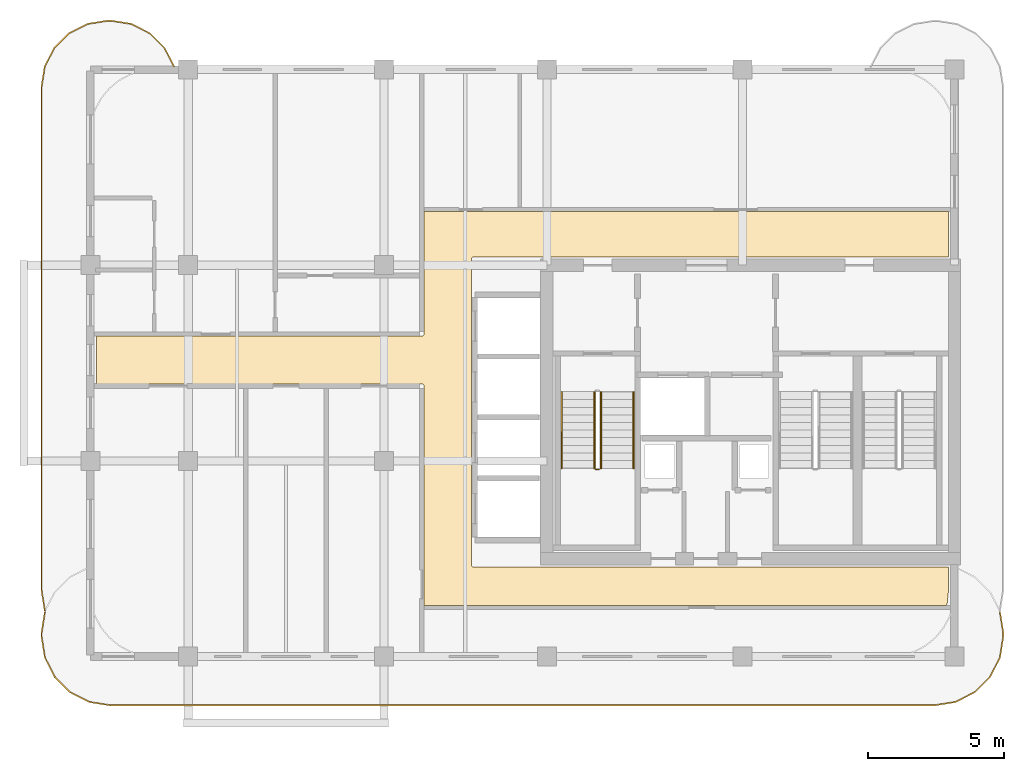
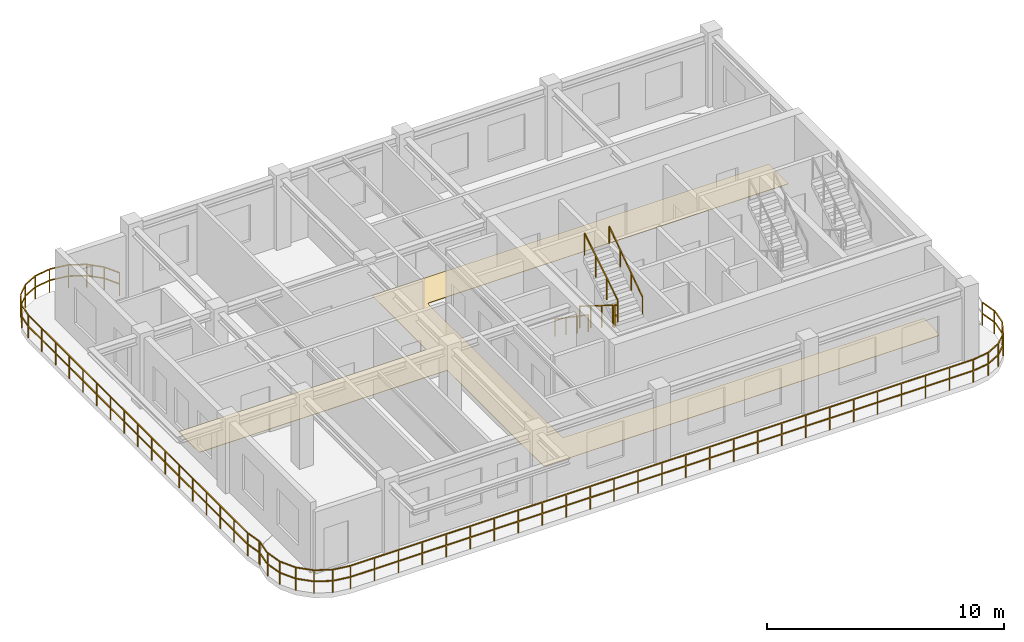
# One storey, part 6 of 7: 7 railings, 1 covering.
"""IFC4 building model written with IfcOpenShell, lengths in metres."""

import ifcopenshell
import ifcopenshell.guid

model = None  # the IFC model being written
_history = None  # IfcOwnerHistory: only IFC2X3 demands one
_inside = {}  # id of a spatial element -> (the spatial element, [elements in it])
_under = {}  # id of a project, library or spatial element -> (it, [spatial elements below it])
_declared = {}  # id of a project -> (the project, [libraries it declares])
_typed = {}  # id of a type object -> (the type object, [elements of that type])
_made_of = {}  # id of a material, layer set ... -> (it, [elements and type objects made of it])


def new_model(schema):
    """Start an empty IFC model of exactly this schema.

    Asked for "IFC4X3", IfcOpenShell would pick the latest addendum, in which some entities
    have other attributes; the version numbers below select the first issue.
    IFC2X3 requires an IfcOwnerHistory on every rooted entity: one is made here for all.
    """
    global model, _history
    if schema == "IFC4X3":
        model = ifcopenshell.file(schema_version=(4, 3, 0, 0))
    else:
        model = ifcopenshell.file(schema=schema)
    _inside.clear()
    _under.clear()
    _declared.clear()
    _typed.clear()
    _made_of.clear()
    _history = None
    if model.schema == "IFC2X3":
        org = make("IfcOrganization", Name="unknown")
        user = make(
            "IfcPersonAndOrganization",
            ThePerson=make("IfcPerson", FamilyName="unknown"),
            TheOrganization=org,
        )
        app = make(
            "IfcApplication",
            ApplicationDeveloper=org,
            Version="unknown",
            ApplicationFullName="unknown",
            ApplicationIdentifier="unknown",
        )
        _history = make(
            "IfcOwnerHistory",
            OwningUser=user,
            OwningApplication=app,
            ChangeAction="ADDED",
            CreationDate=0,
        )
    return model


def make(cls, **values):
    """One entity of the class cls with the attributes given. An attribute that is None is left unset."""
    return model.create_entity(
        cls, **{name: value for name, value in values.items() if value is not None}
    )


def rooted(cls, **values):
    """An entity with a GlobalId (a new one), such as an element, a storey or a relation."""
    return make(cls, GlobalId=ifcopenshell.guid.new(), OwnerHistory=_history, **values)


def si_unit(unit_type, name, prefix=None):
    """IfcSIUnit, for example si_unit("LENGTHUNIT", "METRE", prefix="MILLI")."""
    return make("IfcSIUnit", UnitType=unit_type, Prefix=prefix, Name=name)


def derived_unit(unit_type, elements):
    """IfcDerivedUnit: a product of units, each with its exponent."""
    return make(
        "IfcDerivedUnit",
        Elements=[
            make("IfcDerivedUnitElement", Unit=unit, Exponent=power)
            for unit, power in elements
        ],
        UnitType=unit_type,
    )


def assignment(units):
    """IfcUnitAssignment: the units of a project."""
    return None if units is None else make("IfcUnitAssignment", Units=units)


def point(xyz):
    """IfcCartesianPoint."""
    return None if xyz is None else make("IfcCartesianPoint", Coordinates=xyz)


def direction(xyz):
    """IfcDirection."""
    return None if xyz is None else make("IfcDirection", DirectionRatios=xyz)


def frame(location, z_axis=None, x_axis=None):
    """IfcAxis2Placement3D, a coordinate frame: its origin and axes. An axis left out is left unset."""
    return make(
        "IfcAxis2Placement3D",
        Location=point(location),
        Axis=direction(z_axis),
        RefDirection=direction(x_axis),
    )


def frame_2d(location, x_axis=None):
    """IfcAxis2Placement2D, a coordinate frame in the plane: its origin and x axis."""
    return make(
        "IfcAxis2Placement2D", Location=point(location), RefDirection=direction(x_axis)
    )


def origin():
    """The frame at (0, 0, 0) with its axes left unset."""
    return frame((0.0, 0.0, 0.0))


def origin_2d():
    """The frame at (0, 0) in the plane with its x axis left unset."""
    return frame_2d((0.0, 0.0))


def place(relative_to, where):
    """IfcLocalPlacement: puts the frame where relative to a parent placement (None: the world)."""
    return make(
        "IfcLocalPlacement", PlacementRelTo=relative_to, RelativePlacement=where
    )


def context(
    kind, dimensions, precision=None, world=None, true_north=None, identifier=None
):
    """IfcGeometricRepresentationContext, for example the 3D "Model" context."""
    return make(
        "IfcGeometricRepresentationContext",
        ContextIdentifier=identifier,
        ContextType=kind,
        CoordinateSpaceDimension=dimensions,
        Precision=precision,
        WorldCoordinateSystem=world,
        TrueNorth=true_north,
    )


def subcontext(parent, identifier, kind, view, scale=None):
    """IfcGeometricRepresentationSubContext, for example "Body" below "Model"."""
    return make(
        "IfcGeometricRepresentationSubContext",
        ContextIdentifier=identifier,
        ContextType=kind,
        ParentContext=parent,
        TargetScale=scale,
        TargetView=view,
    )


def project(units=None, contexts=None):
    """IfcProject with its units and contexts."""
    return rooted(
        "IfcProject",
        Name="project",
        RepresentationContexts=contexts,
        UnitsInContext=assignment(units),
    )


def spatial(cls, under=None, at=None, **own):
    """A site, building, storey or space (cls), placed at a placement, below another one or the project."""
    s = rooted(cls, ObjectPlacement=at, **own)
    if under is not None:
        _under.setdefault(under.id(), (under, []))[1].append(s)
    return s


def polyline(points):
    """IfcPolyline through the points."""
    return make("IfcPolyline", Points=[point(p) for p in points])


def profile(cls, at=None, kind="AREA", **sizes):
    """A parametric profile (cls). Its sizes go by their IFC names, for example OverallWidth=200.0."""
    return make(cls, ProfileType=kind, Position=at, **sizes)


def rectangle(**sizes):
    """IfcRectangleProfileDef."""
    return profile("IfcRectangleProfileDef", **sizes)


def outline(outer, holes=None, kind="AREA"):
    """IfcArbitraryClosedProfileDef: a profile drawn as a closed curve; with holes, ...WithVoids."""
    if holes is None:
        return make("IfcArbitraryClosedProfileDef", ProfileType=kind, OuterCurve=outer)
    return make(
        "IfcArbitraryProfileDefWithVoids",
        ProfileType=kind,
        OuterCurve=outer,
        InnerCurves=holes,
    )


def extrude(swept, where, along, depth):
    """IfcExtrudedAreaSolid: the profile swept, set in the frame where, extruded along a direction by depth."""
    return make(
        "IfcExtrudedAreaSolid",
        SweptArea=swept,
        Position=where,
        ExtrudedDirection=direction(along),
        Depth=depth,
    )


def shape(context_of_items, identifier, shape_type, items):
    """IfcShapeRepresentation: the items that make up one representation, for example the "Body"."""
    return make(
        "IfcShapeRepresentation",
        ContextOfItems=context_of_items,
        RepresentationIdentifier=identifier,
        RepresentationType=shape_type,
        Items=items,
    )


def material(Name=None, Category=None):
    """IfcMaterial."""
    return make("IfcMaterial", Name=Name, Category=Category)


def layer(
    of_material, thickness, ventilated=None, Name=None, Category=None, Priority=None
):
    """IfcMaterialLayer: one layer of a wall or slab, of a material (None: an air gap)."""
    return make(
        "IfcMaterialLayer",
        Material=of_material,
        LayerThickness=thickness,
        IsVentilated=ventilated,
        Name=Name,
        Category=Category,
        Priority=Priority,
    )


def layer_set(layers, Name=None):
    """IfcMaterialLayerSet."""
    return make("IfcMaterialLayerSet", MaterialLayers=layers, LayerSetName=Name)


def made_of(thing, what):
    """Note that an element or type object is made of a material, layer set ...; save() writes the relation."""
    if what is not None:
        _made_of.setdefault(what.id(), (what, []))[1].append(thing)
    return thing


def type_object(cls, material=None, **own):
    """A type object (cls), such as IfcWallType, which elements share."""
    return made_of(rooted(cls, **own), material)


def element(
    cls,
    number,
    at=None,
    inside=None,
    cuts=None,
    type_object=None,
    material=None,
    context=None,
    identifier="Body",
    shape_type=None,
    held_by="IfcProductDefinitionShape",
    body=None,
    shapes=None,
    **own,
):
    """One element of the class cls, such as IfcWall. Its Tag is "e" and its number.

    at: its placement. inside: the storey or other place that contains it. cuts: it is an
    opening in that element (IfcRelVoidsElement). A single representation is given by context,
    identifier, shape_type and body (its items); several are given by shapes. held_by: the class
    of the entity that holds the representations. save() writes the other relations.
    """
    e = rooted(cls, Tag="e%d" % number, ObjectPlacement=at, **own)
    if body is not None:
        shapes = [shape(context, identifier, shape_type, body)]
    if shapes is not None:
        e.Representation = make(held_by, Representations=shapes)
    if inside is not None:
        _inside.setdefault(inside.id(), (inside, []))[1].append(e)
    if cuts is not None:
        rooted(
            "IfcRelVoidsElement", RelatingBuildingElement=cuts, RelatedOpeningElement=e
        )
    if type_object is not None:
        _typed.setdefault(type_object.id(), (type_object, []))[1].append(e)
    return made_of(e, material)


def aggregate(whole, parts):
    """IfcRelAggregates: a whole, such as a stair, and the parts it consists of."""
    return rooted("IfcRelAggregates", RelatingObject=whole, RelatedObjects=parts)


def save(model, path):
    """Write the relations noted so far, then the file.

    IfcRelAggregates (storeys below a building ...), IfcRelContainedInSpatialStructure (elements
    in a storey), IfcRelDefinesByType, IfcRelAssociatesMaterial and IfcRelDeclares: one each for
    every whole, place, type object, material and project.
    """
    for whole, parts in _under.values():
        aggregate(whole, parts)
    for where, things in _inside.values():
        rooted(
            "IfcRelContainedInSpatialStructure",
            RelatedElements=things,
            RelatingStructure=where,
        )
    for kind, things in _typed.values():
        rooted("IfcRelDefinesByType", RelatedObjects=things, RelatingType=kind)
    for what, things in _made_of.values():
        rooted("IfcRelAssociatesMaterial", RelatedObjects=things, RelatingMaterial=what)
    for by, libraries in _declared.values():
        rooted("IfcRelDeclares", RelatingContext=by, RelatedDefinitions=libraries)
    model.write(path)


model = new_model("IFC4")

# Units and contexts
model_context = context("Model", 3, precision=1e-05, world=origin(), true_north=direction((0.0, 1.0)))
body_context = subcontext(model_context, "Body", "Model", "MODEL_VIEW")
ifc_project = project(units=[si_unit("LENGTHUNIT", "METRE"), si_unit("AREAUNIT", "SQUARE_METRE"), si_unit("VOLUMEUNIT", "CUBIC_METRE"), si_unit("PLANEANGLEUNIT", "RADIAN"), si_unit("MASSUNIT", "GRAM", prefix="KILO"), si_unit("THERMODYNAMICTEMPERATUREUNIT", "KELVIN"), si_unit("POWERUNIT", "WATT"), derived_unit("THERMALTRANSMITTANCEUNIT", [(si_unit("POWERUNIT", "WATT"), 1), (si_unit("AREAUNIT", "SQUARE_METRE"), -1), (si_unit("THERMODYNAMICTEMPERATUREUNIT", "KELVIN"), -1)])], contexts=[model_context])

# Site, building, storey
site_placement = place(None, origin())
site = spatial("IfcSite", under=ifc_project, at=site_placement, CompositionType="ELEMENT")
building_placement = place(site_placement, origin())
building = spatial("IfcBuilding", under=site, at=building_placement, Name="Zahravan Archway Hotel and Residences", CompositionType="ELEMENT")
storey_placement = place(building_placement, frame((0.0, 0.0, 282.75)))
storey = spatial("IfcBuildingStorey", under=building, at=storey_placement, Name="L71", CompositionType="ELEMENT", Elevation=282.75)

# Covering
ifc_material_1 = material(Name="Engineered Walnut Parquet Flooring")
ifc_layer = layer(ifc_material_1, 0.02197265625, Name="Engineered Walnut Parquet Flooring")
ifc_layer_set = layer_set([ifc_layer], Name="Engineered Walnut Parquet Flooring")
covering_type = type_object("IfcCoveringType", Name="COV-FLR-TIMB", PredefinedType="FLOORING", material=ifc_layer_set)
covering_placement = place(storey_placement, origin())
element("IfcCovering", 1, at=covering_placement, inside=storey, type_object=covering_type, Name="L71 Circulation Floor Finish", PredefinedType="FLOORING", context=body_context, shape_type="SweptSolid", body=[
    extrude(outline(polyline([(30.215576171875, 11.79150390625), (30.256591796875, 11.8134765625), (30.278564453125, 11.8544921875), (30.280029296875, 16.3701171875), (49.580078125, 16.3701171875), (49.580078125, 14.705078125), (32.10009765625, 14.705078125), (32.0556640625, 14.69140625), (32.026123046875, 14.655517578125), (32.02001953125, 3.375), (32.033447265625, 3.33056640625), (32.0693359375, 3.301025390625), (49.580078125, 3.294921875), (49.580078125, 2.410888671875), (49.537109375, 1.974853515625), (49.50830078125, 1.8798828125), (30.280029296875, 1.8798828125), (30.280029296875, 9.949951171875), (30.2666015625, 9.994384765625), (30.230712890625, 10.02392578125), (18.219970703125, 10.030029296875), (18.219970703125, 11.7900390625), (30.199951171875, 11.7900390625), (30.215576171875, 11.79150390625)])), origin(), (0.0, 0.0, 1.0), 0.02197265625),
])

# Railings
ifc_material_2 = material(Name="Bronze & Laminated Glass Balustrade", Category="glass")
railing_type_1 = type_object("IfcRailingType", Name="RL-BAL-1200", PredefinedType="BALUSTRADE", material=ifc_material_2)
railing_1_placement = place(storey_placement, frame((51.47509765625, 1.637939453125, 0.0)))
element("IfcRailing", 2, at=railing_1_placement, inside=storey, type_object=railing_type_1, Name="L71 Balustrade RL-SLB-BAL-L71-SA-1", PredefinedType="BALUSTRADE", context=body_context, shape_type="SweptSolid", body=[
    extrude(rectangle(XDim=0.048095703125, YDim=0.048095703125, at=origin_2d()), frame((0.0, 0.0, 1.17578125), z_axis=(0.156701202656, -0.987646056584, 0.0), x_axis=(0.987646056584, 0.156701202656, 0.0)), (0.0, 0.0, 1.0), 0.797607421875),
    extrude(rectangle(XDim=0.048095703125, YDim=0.048095703125, at=origin_2d()), frame((0.0, 0.0, 0.60009765625), z_axis=(0.156701202656, -0.987646056584, 0.0), x_axis=(0.987646056584, 0.156701202656, 0.0)), (0.0, 0.0, 1.0), 0.797607421875),
    extrude(rectangle(XDim=0.048095703125, YDim=0.048095703125, at=origin_2d()), frame((0.125, -0.787841796875, 1.17578125), z_axis=(0.0, -1.0, 0.0), x_axis=(1.0, 0.0, 0.0)), (0.0, 0.0, 1.0), 0.10009765625),
    extrude(rectangle(XDim=0.048095703125, YDim=0.048095703125, at=origin_2d()), frame((0.125, -0.787841796875, 0.60009765625), z_axis=(0.0, -1.0, 0.0), x_axis=(1.0, 0.0, 0.0)), (0.0, 0.0, 1.0), 0.10009765625),
    extrude(rectangle(XDim=0.048095703125, YDim=0.048095703125, at=origin_2d()), frame((0.125, -0.887939453125, 1.17578125), z_axis=(-0.156653849773, -0.98765356849, 0.0), x_axis=(0.98765356849, -0.156653849773, 0.0)), (0.0, 0.0, 1.0), 0.7978515625),
    extrude(rectangle(XDim=0.048095703125, YDim=0.048095703125, at=origin_2d()), frame((0.125, -0.887939453125, 0.60009765625), z_axis=(-0.156653849773, -0.98765356849, 0.0), x_axis=(0.98765356849, -0.156653849773, 0.0)), (0.0, 0.0, 1.0), 0.7978515625),
    extrude(rectangle(XDim=0.048095703125, YDim=0.048095703125, at=origin_2d()), frame((0.0, -1.676025390625, 1.17578125), z_axis=(-0.453934952053, -0.891034824967, 0.0), x_axis=(0.891034824967, -0.453934952053, 0.0)), (0.0, 0.0, 1.0), 0.797607421875),
    extrude(rectangle(XDim=0.048095703125, YDim=0.048095703125, at=origin_2d()), frame((0.0, -1.676025390625, 0.60009765625), z_axis=(-0.453934952053, -0.891034824967, 0.0), x_axis=(0.891034824967, -0.453934952053, 0.0)), (0.0, 0.0, 1.0), 0.797607421875),
    extrude(rectangle(XDim=0.048095703125, YDim=0.048095703125, at=origin_2d()), frame((-0.362060546875, -2.38671875, 1.17578125), z_axis=(-0.707106781187, -0.707106781187, 0.0), x_axis=(0.707106781187, -0.707106781187, 0.0)), (0.0, 0.0, 1.0), 0.7978515625),
    extrude(rectangle(XDim=0.048095703125, YDim=0.048095703125, at=origin_2d()), frame((-0.362060546875, -2.38671875, 0.60009765625), z_axis=(-0.707106781187, -0.707106781187, 0.0), x_axis=(0.707106781187, -0.707106781187, 0.0)), (0.0, 0.0, 1.0), 0.7978515625),
    extrude(rectangle(XDim=0.048095703125, YDim=0.048095703125, at=origin_2d()), frame((-0.92626953125, -2.950927734375, 1.17578125), z_axis=(-0.890974108706, -0.454054113091, 0.0), x_axis=(0.454054113091, -0.890974108706, 0.0)), (0.0, 0.0, 1.0), 0.7978515625),
    extrude(rectangle(XDim=0.048095703125, YDim=0.048095703125, at=origin_2d()), frame((-0.92626953125, -2.950927734375, 0.60009765625), z_axis=(-0.890974108706, -0.454054113091, 0.0), x_axis=(0.454054113091, -0.890974108706, 0.0)), (0.0, 0.0, 1.0), 0.7978515625),
    extrude(rectangle(XDim=0.048095703125, YDim=0.048095703125, at=origin_2d()), frame((-1.63720703125, -3.313232421875, 1.17578125), z_axis=(-0.987693380745, -0.156402639467, 0.0), x_axis=(0.156402639467, -0.987693380745, 0.0)), (0.0, 0.0, 1.0), 0.797607421875),
    extrude(rectangle(XDim=0.048095703125, YDim=0.048095703125, at=origin_2d()), frame((-1.63720703125, -3.313232421875, 0.60009765625), z_axis=(-0.987693380745, -0.156402639467, 0.0), x_axis=(0.156402639467, -0.987693380745, 0.0)), (0.0, 0.0, 1.0), 0.797607421875),
    extrude(rectangle(XDim=0.048095703125, YDim=0.048095703125, at=origin_2d()), frame((-2.425048828125, -3.43798828125, 1.17578125), z_axis=(-1.0, 0.0, 0.0), x_axis=(0.0, -1.0, 0.0)), (0.0, 0.0, 1.0), 30.300048828125),
    extrude(rectangle(XDim=0.048095703125, YDim=0.048095703125, at=origin_2d()), frame((-2.425048828125, -3.43798828125, 0.60009765625), z_axis=(-1.0, 0.0, 0.0), x_axis=(0.0, -1.0, 0.0)), (0.0, 0.0, 1.0), 30.300048828125),
    extrude(rectangle(XDim=0.048095703125, YDim=0.048095703125, at=origin_2d()), frame((-32.72509765625, -3.43798828125, 1.17578125), z_axis=(-0.987700864412, 0.156355372278, 0.0), x_axis=(-0.156355372278, -0.987700864412, 0.0)), (0.0, 0.0, 1.0), 0.7978515625),
    extrude(rectangle(XDim=0.048095703125, YDim=0.048095703125, at=origin_2d()), frame((-32.72509765625, -3.43798828125, 0.60009765625), z_axis=(-0.987700864412, 0.156355372278, 0.0), x_axis=(-0.156355372278, -0.987700864412, 0.0)), (0.0, 0.0, 1.0), 0.7978515625),
    extrude(rectangle(XDim=0.048095703125, YDim=0.048095703125, at=origin_2d()), frame((-33.51318359375, -3.313232421875, 1.17578125), z_axis=(-0.890911003302, 0.454177921299, 0.0), x_axis=(-0.454177921299, -0.890911003302, 0.0)), (0.0, 0.0, 1.0), 0.797607421875),
    extrude(rectangle(XDim=0.048095703125, YDim=0.048095703125, at=origin_2d()), frame((-33.51318359375, -3.313232421875, 0.60009765625), z_axis=(-0.890911003302, 0.454177921299, 0.0), x_axis=(-0.454177921299, -0.890911003302, 0.0)), (0.0, 0.0, 1.0), 0.797607421875),
    extrude(rectangle(XDim=0.048095703125, YDim=0.048095703125, at=origin_2d()), frame((-34.223876953125, -2.950927734375, 1.17578125), z_axis=(-0.707106781187, 0.707106781187, 0.0), x_axis=(-0.707106781187, -0.707106781187, 0.0)), (0.0, 0.0, 1.0), 0.7978515625),
    extrude(rectangle(XDim=0.048095703125, YDim=0.048095703125, at=origin_2d()), frame((-34.223876953125, -2.950927734375, 0.60009765625), z_axis=(-0.707106781187, 0.707106781187, 0.0), x_axis=(-0.707106781187, -0.707106781187, 0.0)), (0.0, 0.0, 1.0), 0.7978515625),
    extrude(rectangle(XDim=0.048095703125, YDim=0.048095703125, at=origin_2d()), frame((-34.7880859375, -2.38671875, 1.17578125), z_axis=(-0.454177921299, 0.890911003302, 0.0), x_axis=(-0.890911003302, -0.454177921299, 0.0)), (0.0, 0.0, 1.0), 0.797607421875),
    extrude(rectangle(XDim=0.048095703125, YDim=0.048095703125, at=origin_2d()), frame((-34.7880859375, -2.38671875, 0.60009765625), z_axis=(-0.454177921299, 0.890911003302, 0.0), x_axis=(-0.890911003302, -0.454177921299, 0.0)), (0.0, 0.0, 1.0), 0.797607421875),
    extrude(rectangle(XDim=0.048095703125, YDim=0.048095703125, at=origin_2d()), frame((-35.150390625, -1.676025390625, 1.17578125), z_axis=(-0.156355372278, 0.987700864412, 0.0), x_axis=(-0.987700864412, -0.156355372278, 0.0)), (0.0, 0.0, 1.0), 0.7978515625),
    extrude(rectangle(XDim=0.048095703125, YDim=0.048095703125, at=origin_2d()), frame((-35.150390625, -1.676025390625, 0.60009765625), z_axis=(-0.156355372278, 0.987700864412, 0.0), x_axis=(-0.987700864412, -0.156355372278, 0.0)), (0.0, 0.0, 1.0), 0.7978515625),
    extrude(rectangle(XDim=0.048095703125, YDim=0.048095703125, at=origin_2d()), frame((-35.275146484375, -0.887939453125, 1.17578125), z_axis=(0.0, 1.0, 0.0), x_axis=(-1.0, 0.0, 0.0)), (0.0, 0.0, 1.0), 0.10009765625),
    extrude(rectangle(XDim=0.048095703125, YDim=0.048095703125, at=origin_2d()), frame((-35.275146484375, -0.887939453125, 0.60009765625), z_axis=(0.0, 1.0, 0.0), x_axis=(-1.0, 0.0, 0.0)), (0.0, 0.0, 1.0), 0.10009765625),
    extrude(rectangle(XDim=0.048095703125, YDim=0.048095703125, at=origin_2d()), frame((-35.275146484375, -0.787841796875, 1.17578125), z_axis=(0.156402639467, 0.987693380745, 0.0), x_axis=(-0.987693380745, 0.156402639467, 0.0)), (0.0, 0.0, 1.0), 0.797607421875),
    extrude(rectangle(XDim=0.048095703125, YDim=0.048095703125, at=origin_2d()), frame((-35.275146484375, -0.787841796875, 0.60009765625), z_axis=(0.156402639467, 0.987693380745, 0.0), x_axis=(-0.987693380745, 0.156402639467, 0.0)), (0.0, 0.0, 1.0), 0.797607421875),
    extrude(rectangle(XDim=0.0419921875, YDim=0.0419921875, at=origin_2d()), origin(), (0.0, 0.0, 1.0), 1.15185546875),
    extrude(rectangle(XDim=0.0419921875, YDim=0.0419921875, at=origin_2d()), frame((0.125, -0.787841796875, 0.0)), (0.0, 0.0, 1.0), 1.15185546875),
    extrude(rectangle(XDim=0.0419921875, YDim=0.0419921875, at=origin_2d()), frame((0.0, -1.676025390625, 0.0)), (0.0, 0.0, 1.0), 1.15185546875),
    extrude(rectangle(XDim=0.0419921875, YDim=0.0419921875, at=origin_2d()), frame((-0.362060546875, -2.38671875, 0.0)), (0.0, 0.0, 1.0), 1.15185546875),
    extrude(rectangle(XDim=0.0419921875, YDim=0.0419921875, at=origin_2d()), frame((-0.92626953125, -2.950927734375, 0.0)), (0.0, 0.0, 1.0), 1.15185546875),
    extrude(rectangle(XDim=0.0419921875, YDim=0.0419921875, at=origin_2d()), frame((-1.63720703125, -3.313232421875, 0.0)), (0.0, 0.0, 1.0), 1.15185546875),
    extrude(rectangle(XDim=0.0419921875, YDim=0.0419921875, at=origin_2d()), frame((-2.425048828125, -3.43798828125, 0.0)), (0.0, 0.0, 1.0), 1.15185546875),
    extrude(rectangle(XDim=0.0419921875, YDim=0.0419921875, at=origin_2d()), frame((-3.59033203125, -3.43798828125, 0.0)), (0.0, 0.0, 1.0), 1.15185546875),
    extrude(rectangle(XDim=0.0419921875, YDim=0.0419921875, at=origin_2d()), frame((-4.755859375, -3.43798828125, 0.0)), (0.0, 0.0, 1.0), 1.15185546875),
    extrude(rectangle(XDim=0.0419921875, YDim=0.0419921875, at=origin_2d()), frame((-5.921142578125, -3.43798828125, 0.0)), (0.0, 0.0, 1.0), 1.15185546875),
    extrude(rectangle(XDim=0.0419921875, YDim=0.0419921875, at=origin_2d()), frame((-7.086669921875, -3.43798828125, 0.0)), (0.0, 0.0, 1.0), 1.15185546875),
    extrude(rectangle(XDim=0.0419921875, YDim=0.0419921875, at=origin_2d()), frame((-8.251953125, -3.43798828125, 0.0)), (0.0, 0.0, 1.0), 1.15185546875),
    extrude(rectangle(XDim=0.0419921875, YDim=0.0419921875, at=origin_2d()), frame((-9.41748046875, -3.43798828125, 0.0)), (0.0, 0.0, 1.0), 1.15185546875),
    extrude(rectangle(XDim=0.0419921875, YDim=0.0419921875, at=origin_2d()), frame((-10.582763671875, -3.43798828125, 0.0)), (0.0, 0.0, 1.0), 1.15185546875),
    extrude(rectangle(XDim=0.0419921875, YDim=0.0419921875, at=origin_2d()), frame((-11.748046875, -3.43798828125, 0.0)), (0.0, 0.0, 1.0), 1.15185546875),
    extrude(rectangle(XDim=0.0419921875, YDim=0.0419921875, at=origin_2d()), frame((-12.91357421875, -3.43798828125, 0.0)), (0.0, 0.0, 1.0), 1.15185546875),
    extrude(rectangle(XDim=0.0419921875, YDim=0.0419921875, at=origin_2d()), frame((-14.078857421875, -3.43798828125, 0.0)), (0.0, 0.0, 1.0), 1.15185546875),
    extrude(rectangle(XDim=0.0419921875, YDim=0.0419921875, at=origin_2d()), frame((-15.244384765625, -3.43798828125, 0.0)), (0.0, 0.0, 1.0), 1.15185546875),
    extrude(rectangle(XDim=0.0419921875, YDim=0.0419921875, at=origin_2d()), frame((-16.40966796875, -3.43798828125, 0.0)), (0.0, 0.0, 1.0), 1.15185546875),
    extrude(rectangle(XDim=0.0419921875, YDim=0.0419921875, at=origin_2d()), frame((-17.5751953125, -3.43798828125, 0.0)), (0.0, 0.0, 1.0), 1.15185546875),
    extrude(rectangle(XDim=0.0419921875, YDim=0.0419921875, at=origin_2d()), frame((-18.740478515625, -3.43798828125, 0.0)), (0.0, 0.0, 1.0), 1.15185546875),
    extrude(rectangle(XDim=0.0419921875, YDim=0.0419921875, at=origin_2d()), frame((-19.90576171875, -3.43798828125, 0.0)), (0.0, 0.0, 1.0), 1.15185546875),
    extrude(rectangle(XDim=0.0419921875, YDim=0.0419921875, at=origin_2d()), frame((-21.0712890625, -3.43798828125, 0.0)), (0.0, 0.0, 1.0), 1.15185546875),
    extrude(rectangle(XDim=0.0419921875, YDim=0.0419921875, at=origin_2d()), frame((-22.236572265625, -3.43798828125, 0.0)), (0.0, 0.0, 1.0), 1.15185546875),
    extrude(rectangle(XDim=0.0419921875, YDim=0.0419921875, at=origin_2d()), frame((-23.402099609375, -3.43798828125, 0.0)), (0.0, 0.0, 1.0), 1.15185546875),
    extrude(rectangle(XDim=0.0419921875, YDim=0.0419921875, at=origin_2d()), frame((-24.5673828125, -3.43798828125, 0.0)), (0.0, 0.0, 1.0), 1.15185546875),
    extrude(rectangle(XDim=0.0419921875, YDim=0.0419921875, at=origin_2d()), frame((-25.732666015625, -3.43798828125, 0.0)), (0.0, 0.0, 1.0), 1.15185546875),
    extrude(rectangle(XDim=0.0419921875, YDim=0.0419921875, at=origin_2d()), frame((-26.898193359375, -3.43798828125, 0.0)), (0.0, 0.0, 1.0), 1.15185546875),
    extrude(rectangle(XDim=0.0419921875, YDim=0.0419921875, at=origin_2d()), frame((-28.0634765625, -3.43798828125, 0.0)), (0.0, 0.0, 1.0), 1.15185546875),
    extrude(rectangle(XDim=0.0419921875, YDim=0.0419921875, at=origin_2d()), frame((-29.22900390625, -3.43798828125, 0.0)), (0.0, 0.0, 1.0), 1.15185546875),
    extrude(rectangle(XDim=0.0419921875, YDim=0.0419921875, at=origin_2d()), frame((-30.394287109375, -3.43798828125, 0.0)), (0.0, 0.0, 1.0), 1.15185546875),
    extrude(rectangle(XDim=0.0419921875, YDim=0.0419921875, at=origin_2d()), frame((-31.559814453125, -3.43798828125, 0.0)), (0.0, 0.0, 1.0), 1.15185546875),
    extrude(rectangle(XDim=0.0419921875, YDim=0.0419921875, at=origin_2d()), frame((-32.72509765625, -3.43798828125, 0.0)), (0.0, 0.0, 1.0), 1.15185546875),
    extrude(rectangle(XDim=0.0419921875, YDim=0.0419921875, at=origin_2d()), frame((-33.51318359375, -3.313232421875, 0.0)), (0.0, 0.0, 1.0), 1.15185546875),
    extrude(rectangle(XDim=0.0419921875, YDim=0.0419921875, at=origin_2d()), frame((-34.223876953125, -2.950927734375, 0.0)), (0.0, 0.0, 1.0), 1.15185546875),
    extrude(rectangle(XDim=0.0419921875, YDim=0.0419921875, at=origin_2d()), frame((-34.7880859375, -2.38671875, 0.0)), (0.0, 0.0, 1.0), 1.15185546875),
    extrude(rectangle(XDim=0.0419921875, YDim=0.0419921875, at=origin_2d()), frame((-35.150390625, -1.676025390625, 0.0)), (0.0, 0.0, 1.0), 1.15185546875),
    extrude(rectangle(XDim=0.0419921875, YDim=0.0419921875, at=origin_2d()), frame((-35.275146484375, -0.887939453125, 0.0)), (0.0, 0.0, 1.0), 1.15185546875),
    extrude(rectangle(XDim=0.0419921875, YDim=0.0419921875, at=origin_2d()), frame((-35.150390625, 0.0, 0.0)), (0.0, 0.0, 1.0), 1.15185546875),
])
railing_2_placement = place(storey_placement, frame((16.31982421875, 1.69287109375, 0.0)))
element("IfcRailing", 3, at=railing_2_placement, inside=storey, type_object=railing_type_1, Name="L71 Balustrade RL-SLB-BAL-L71-WA-1", PredefinedType="BALUSTRADE", context=body_context, shape_type="SweptSolid", body=[
    extrude(rectangle(XDim=0.048095703125, YDim=0.048095703125, at=origin_2d()), frame((0.0, 0.0, 1.17578125), z_axis=(-0.156387811283, 0.987695728695, 0.0), x_axis=(-0.987695728695, -0.156387811283, 0.0)), (0.0, 0.0, 1.0), 0.7666015625),
    extrude(rectangle(XDim=0.048095703125, YDim=0.048095703125, at=origin_2d()), frame((0.0, 0.0, 0.60009765625), z_axis=(-0.156387811283, 0.987695728695, 0.0), x_axis=(-0.987695728695, -0.156387811283, 0.0)), (0.0, 0.0, 1.0), 0.7666015625),
    extrude(rectangle(XDim=0.048095703125, YDim=0.048095703125, at=origin_2d()), frame((-0.119873046875, 0.757080078125, 1.17578125), z_axis=(0.0, 1.0, 0.0), x_axis=(-1.0, 0.0, 0.0)), (0.0, 0.0, 1.0), 18.5),
    extrude(rectangle(XDim=0.048095703125, YDim=0.048095703125, at=origin_2d()), frame((-0.119873046875, 0.757080078125, 0.60009765625), z_axis=(0.0, 1.0, 0.0), x_axis=(-1.0, 0.0, 0.0)), (0.0, 0.0, 1.0), 18.5),
    extrude(rectangle(XDim=0.048095703125, YDim=0.048095703125, at=origin_2d()), frame((-0.119873046875, 19.257080078125, 1.17578125), z_axis=(0.156387811283, 0.987695728695, 0.0), x_axis=(-0.987695728695, 0.156387811283, 0.0)), (0.0, 0.0, 1.0), 0.7666015625),
    extrude(rectangle(XDim=0.048095703125, YDim=0.048095703125, at=origin_2d()), frame((-0.119873046875, 19.257080078125, 0.60009765625), z_axis=(0.156387811283, 0.987695728695, 0.0), x_axis=(-0.987695728695, 0.156387811283, 0.0)), (0.0, 0.0, 1.0), 0.7666015625),
    extrude(rectangle(XDim=0.048095703125, YDim=0.048095703125, at=origin_2d()), frame((0.0, 20.01416015625, 1.17578125), z_axis=(0.454078418624, 0.890961721815, 0.0), x_axis=(-0.890961721815, 0.454078418624, 0.0)), (0.0, 0.0, 1.0), 0.7666015625),
    extrude(rectangle(XDim=0.048095703125, YDim=0.048095703125, at=origin_2d()), frame((0.0, 20.01416015625, 0.60009765625), z_axis=(0.454078418624, 0.890961721815, 0.0), x_axis=(-0.890961721815, 0.454078418624, 0.0)), (0.0, 0.0, 1.0), 0.7666015625),
    extrude(rectangle(XDim=0.048095703125, YDim=0.048095703125, at=origin_2d()), frame((0.34814453125, 20.697265625, 1.17578125), z_axis=(0.707106781187, 0.707106781187, 0.0), x_axis=(-0.707106781187, 0.707106781187, 0.0)), (0.0, 0.0, 1.0), 0.7666015625),
    extrude(rectangle(XDim=0.048095703125, YDim=0.048095703125, at=origin_2d()), frame((0.34814453125, 20.697265625, 0.60009765625), z_axis=(0.707106781187, 0.707106781187, 0.0), x_axis=(-0.707106781187, 0.707106781187, 0.0)), (0.0, 0.0, 1.0), 0.7666015625),
    extrude(rectangle(XDim=0.048095703125, YDim=0.048095703125, at=origin_2d()), frame((0.89013671875, 21.2392578125, 1.17578125), z_axis=(0.891024909783, 0.453954414172, 0.0), x_axis=(-0.453954414172, 0.891024909783, 0.0)), (0.0, 0.0, 1.0), 0.766357421875),
    extrude(rectangle(XDim=0.048095703125, YDim=0.048095703125, at=origin_2d()), frame((0.89013671875, 21.2392578125, 0.60009765625), z_axis=(0.891024909783, 0.453954414172, 0.0), x_axis=(-0.453954414172, 0.891024909783, 0.0)), (0.0, 0.0, 1.0), 0.766357421875),
    extrude(rectangle(XDim=0.048095703125, YDim=0.048095703125, at=origin_2d()), frame((1.572998046875, 21.587158203125, 1.17578125), z_axis=(0.987695728695, 0.156387811283, 0.0), x_axis=(-0.156387811283, 0.987695728695, 0.0)), (0.0, 0.0, 1.0), 0.7666015625),
    extrude(rectangle(XDim=0.048095703125, YDim=0.048095703125, at=origin_2d()), frame((1.572998046875, 21.587158203125, 0.60009765625), z_axis=(0.987695728695, 0.156387811283, 0.0), x_axis=(-0.156387811283, 0.987695728695, 0.0)), (0.0, 0.0, 1.0), 0.7666015625),
    extrude(rectangle(XDim=0.048095703125, YDim=0.048095703125, at=origin_2d()), frame((2.330078125, 21.70703125, 1.17578125), z_axis=(1.0, 0.0, 0.0), x_axis=(0.0, 1.0, 0.0)), (0.0, 0.0, 1.0), 0.10009765625),
    extrude(rectangle(XDim=0.048095703125, YDim=0.048095703125, at=origin_2d()), frame((2.330078125, 21.70703125, 0.60009765625), z_axis=(1.0, 0.0, 0.0), x_axis=(0.0, 1.0, 0.0)), (0.0, 0.0, 1.0), 0.10009765625),
    extrude(rectangle(XDim=0.048095703125, YDim=0.048095703125, at=origin_2d()), frame((2.43017578125, 21.70703125, 1.17578125), z_axis=(0.987695728695, -0.156387811283, 0.0), x_axis=(0.156387811283, 0.987695728695, 0.0)), (0.0, 0.0, 1.0), 0.7666015625),
    extrude(rectangle(XDim=0.048095703125, YDim=0.048095703125, at=origin_2d()), frame((2.43017578125, 21.70703125, 0.60009765625), z_axis=(0.987695728695, -0.156387811283, 0.0), x_axis=(0.156387811283, 0.987695728695, 0.0)), (0.0, 0.0, 1.0), 0.7666015625),
    extrude(rectangle(XDim=0.048095703125, YDim=0.048095703125, at=origin_2d()), frame((3.187255859375, 21.587158203125, 1.17578125), z_axis=(0.891090529897, -0.453825591531, 0.0), x_axis=(0.453825591531, 0.891090529897, 0.0)), (0.0, 0.0, 1.0), 0.7666015625),
    extrude(rectangle(XDim=0.048095703125, YDim=0.048095703125, at=origin_2d()), frame((3.187255859375, 21.587158203125, 0.60009765625), z_axis=(0.891090529897, -0.453825591531, 0.0), x_axis=(0.453825591531, 0.891090529897, 0.0)), (0.0, 0.0, 1.0), 0.7666015625),
    extrude(rectangle(XDim=0.048095703125, YDim=0.048095703125, at=origin_2d()), frame((3.870361328125, 21.2392578125, 1.17578125), z_axis=(0.707106781187, -0.707106781187, 0.0), x_axis=(0.707106781187, 0.707106781187, 0.0)), (0.0, 0.0, 1.0), 0.7666015625),
    extrude(rectangle(XDim=0.048095703125, YDim=0.048095703125, at=origin_2d()), frame((3.870361328125, 21.2392578125, 0.60009765625), z_axis=(0.707106781187, -0.707106781187, 0.0), x_axis=(0.707106781187, 0.707106781187, 0.0)), (0.0, 0.0, 1.0), 0.7666015625),
    extrude(rectangle(XDim=0.048095703125, YDim=0.048095703125, at=origin_2d()), frame((4.412353515625, 20.697265625, 1.17578125), z_axis=(0.453825591531, -0.891090529897, 0.0), x_axis=(0.891090529897, 0.453825591531, 0.0)), (0.0, 0.0, 1.0), 0.7666015625),
    extrude(rectangle(XDim=0.048095703125, YDim=0.048095703125, at=origin_2d()), frame((4.412353515625, 20.697265625, 0.60009765625), z_axis=(0.453825591531, -0.891090529897, 0.0), x_axis=(0.891090529897, 0.453825591531, 0.0)), (0.0, 0.0, 1.0), 0.7666015625),
    extrude(rectangle(XDim=0.0419921875, YDim=0.0419921875, at=origin_2d()), origin(), (0.0, 0.0, 1.0), 1.15185546875),
    extrude(rectangle(XDim=0.0419921875, YDim=0.0419921875, at=origin_2d()), frame((-0.119873046875, 0.757080078125, 0.0)), (0.0, 0.0, 1.0), 1.15185546875),
    extrude(rectangle(XDim=0.0419921875, YDim=0.0419921875, at=origin_2d()), frame((-0.119873046875, 1.913330078125, 0.0)), (0.0, 0.0, 1.0), 1.15185546875),
    extrude(rectangle(XDim=0.0419921875, YDim=0.0419921875, at=origin_2d()), frame((-0.119873046875, 3.069580078125, 0.0)), (0.0, 0.0, 1.0), 1.15185546875),
    extrude(rectangle(XDim=0.0419921875, YDim=0.0419921875, at=origin_2d()), frame((-0.119873046875, 4.225830078125, 0.0)), (0.0, 0.0, 1.0), 1.15185546875),
    extrude(rectangle(XDim=0.0419921875, YDim=0.0419921875, at=origin_2d()), frame((-0.119873046875, 5.382080078125, 0.0)), (0.0, 0.0, 1.0), 1.15185546875),
    extrude(rectangle(XDim=0.0419921875, YDim=0.0419921875, at=origin_2d()), frame((-0.119873046875, 6.538330078125, 0.0)), (0.0, 0.0, 1.0), 1.15185546875),
    extrude(rectangle(XDim=0.0419921875, YDim=0.0419921875, at=origin_2d()), frame((-0.119873046875, 7.694580078125, 0.0)), (0.0, 0.0, 1.0), 1.15185546875),
    extrude(rectangle(XDim=0.0419921875, YDim=0.0419921875, at=origin_2d()), frame((-0.119873046875, 8.850830078125, 0.0)), (0.0, 0.0, 1.0), 1.15185546875),
    extrude(rectangle(XDim=0.0419921875, YDim=0.0419921875, at=origin_2d()), frame((-0.119873046875, 10.007080078125, 0.0)), (0.0, 0.0, 1.0), 1.15185546875),
    extrude(rectangle(XDim=0.0419921875, YDim=0.0419921875, at=origin_2d()), frame((-0.119873046875, 11.163330078125, 0.0)), (0.0, 0.0, 1.0), 1.15185546875),
    extrude(rectangle(XDim=0.0419921875, YDim=0.0419921875, at=origin_2d()), frame((-0.119873046875, 12.319580078125, 0.0)), (0.0, 0.0, 1.0), 1.15185546875),
    extrude(rectangle(XDim=0.0419921875, YDim=0.0419921875, at=origin_2d()), frame((-0.119873046875, 13.475830078125, 0.0)), (0.0, 0.0, 1.0), 1.15185546875),
    extrude(rectangle(XDim=0.0419921875, YDim=0.0419921875, at=origin_2d()), frame((-0.119873046875, 14.632080078125, 0.0)), (0.0, 0.0, 1.0), 1.15185546875),
    extrude(rectangle(XDim=0.0419921875, YDim=0.0419921875, at=origin_2d()), frame((-0.119873046875, 15.788330078125, 0.0)), (0.0, 0.0, 1.0), 1.15185546875),
    extrude(rectangle(XDim=0.0419921875, YDim=0.0419921875, at=origin_2d()), frame((-0.119873046875, 16.944580078125, 0.0)), (0.0, 0.0, 1.0), 1.15185546875),
    extrude(rectangle(XDim=0.0419921875, YDim=0.0419921875, at=origin_2d()), frame((-0.119873046875, 18.100830078125, 0.0)), (0.0, 0.0, 1.0), 1.15185546875),
    extrude(rectangle(XDim=0.0419921875, YDim=0.0419921875, at=origin_2d()), frame((-0.119873046875, 19.257080078125, 0.0)), (0.0, 0.0, 1.0), 1.15185546875),
    extrude(rectangle(XDim=0.0419921875, YDim=0.0419921875, at=origin_2d()), frame((0.0, 20.01416015625, 0.0)), (0.0, 0.0, 1.0), 1.15185546875),
    extrude(rectangle(XDim=0.0419921875, YDim=0.0419921875, at=origin_2d()), frame((0.34814453125, 20.697265625, 0.0)), (0.0, 0.0, 1.0), 1.15185546875),
    extrude(rectangle(XDim=0.0419921875, YDim=0.0419921875, at=origin_2d()), frame((0.89013671875, 21.2392578125, 0.0)), (0.0, 0.0, 1.0), 1.15185546875),
    extrude(rectangle(XDim=0.0419921875, YDim=0.0419921875, at=origin_2d()), frame((1.572998046875, 21.587158203125, 0.0)), (0.0, 0.0, 1.0), 1.15185546875),
    extrude(rectangle(XDim=0.0419921875, YDim=0.0419921875, at=origin_2d()), frame((2.330078125, 21.70703125, 0.0)), (0.0, 0.0, 1.0), 1.15185546875),
    extrude(rectangle(XDim=0.0419921875, YDim=0.0419921875, at=origin_2d()), frame((3.187255859375, 21.587158203125, 0.0)), (0.0, 0.0, 1.0), 1.15185546875),
    extrude(rectangle(XDim=0.0419921875, YDim=0.0419921875, at=origin_2d()), frame((3.870361328125, 21.2392578125, 0.0)), (0.0, 0.0, 1.0), 1.15185546875),
    extrude(rectangle(XDim=0.0419921875, YDim=0.0419921875, at=origin_2d()), frame((4.412353515625, 20.697265625, 0.0)), (0.0, 0.0, 1.0), 1.15185546875),
    extrude(rectangle(XDim=0.0419921875, YDim=0.0419921875, at=origin_2d()), frame((4.76025390625, 20.01416015625, 0.0)), (0.0, 0.0, 1.0), 1.15185546875),
])
ifc_material_3 = material(Name="Painted Tubular Steel", Category="steel")
railing_type_2 = type_object("IfcRailingType", Name="RL-STG-1150", PredefinedType="GUARDRAIL", material=ifc_material_3)
railing_3_placement = place(storey_placement, frame((36.550048828125, 9.72998046875, 0.175048828125)))
element("IfcRailing", 4, at=railing_3_placement, inside=storey, type_object=railing_type_2, Name="L71 ST-A1 stair guard 1", PredefinedType="GUARDRAIL", context=body_context, shape_type="SweptSolid", body=[
    extrude(rectangle(XDim=0.048095703125, YDim=0.048095703125, at=origin_2d()), frame((0.0, 0.0, 1.1259765625), z_axis=(0.0, -0.848002457836, 0.529992293815), x_axis=(1.0, 0.0, 0.0)), (0.0, 0.0, 1.0), 3.302001953125),
    extrude(rectangle(XDim=0.0419921875, YDim=0.0419921875, at=origin_2d()), origin(), (0.0, 0.0, 1.0), 1.101806640625),
    extrude(rectangle(XDim=0.0419921875, YDim=0.0419921875, at=origin_2d()), frame((0.0, -0.933349609375, 0.583251953125)), (0.0, 0.0, 1.0), 1.101806640625),
    extrude(rectangle(XDim=0.0419921875, YDim=0.0419921875, at=origin_2d()), frame((0.0, -1.86669921875, 1.166748046875)), (0.0, 0.0, 1.0), 1.101806640625),
    extrude(rectangle(XDim=0.0419921875, YDim=0.0419921875, at=origin_2d()), frame((0.0, -2.800048828125, 1.75)), (0.0, 0.0, 1.0), 1.101806640625),
])
railing_4_placement = place(storey_placement, frame((36.60009765625, 6.8798828125, 1.925048828125)))
element("IfcRailing", 5, at=railing_4_placement, inside=storey, type_object=railing_type_2, Name="L71 ST-A1 stair guard 2", PredefinedType="GUARDRAIL", context=body_context, shape_type="SweptSolid", body=[
    extrude(rectangle(XDim=0.048095703125, YDim=0.048095703125, at=origin_2d()), frame((0.0, 0.0, 1.1259765625), z_axis=(1.0, 0.0, 0.0), x_axis=(0.0, 1.0, 0.0)), (0.0, 0.0, 1.0), 0.139892578125),
    extrude(rectangle(XDim=0.048095703125, YDim=0.048095703125, at=origin_2d()), frame((0.0, 0.0, 0.574951171875), z_axis=(1.0, 0.0, 0.0), x_axis=(0.0, 1.0, 0.0)), (0.0, 0.0, 1.0), 0.139892578125),
    extrude(rectangle(XDim=0.0419921875, YDim=0.0419921875, at=origin_2d()), origin(), (0.0, 0.0, 1.0), 1.101806640625),
])
railing_5_placement = place(storey_placement, frame((36.7900390625, 6.929931640625, 2.10009765625)))
element("IfcRailing", 6, at=railing_5_placement, inside=storey, type_object=railing_type_2, Name="L71 ST-A1 stair guard 3", PredefinedType="GUARDRAIL", context=body_context, shape_type="SweptSolid", body=[
    extrude(rectangle(XDim=0.048095703125, YDim=0.048095703125, at=origin_2d()), frame((0.0, 0.0, 1.1259765625), z_axis=(0.0, 0.848002457836, 0.529992293815), x_axis=(-1.0, 0.0, 0.0)), (0.0, 0.0, 1.0), 3.302001953125),
    extrude(rectangle(XDim=0.0419921875, YDim=0.0419921875, at=origin_2d()), origin(), (0.0, 0.0, 1.0), 1.101806640625),
    extrude(rectangle(XDim=0.0419921875, YDim=0.0419921875, at=origin_2d()), frame((0.0, 0.933349609375, 0.583251953125)), (0.0, 0.0, 1.0), 1.101806640625),
    extrude(rectangle(XDim=0.0419921875, YDim=0.0419921875, at=origin_2d()), frame((0.0, 1.86669921875, 1.166748046875)), (0.0, 0.0, 1.0), 1.101806640625),
    extrude(rectangle(XDim=0.0419921875, YDim=0.0419921875, at=origin_2d()), frame((0.0, 2.800048828125, 1.75)), (0.0, 0.0, 1.0), 1.101806640625),
])
ifc_material_4 = material(Name="Brushed Stainless Steel", Category="steel")
railing_type_3 = type_object("IfcRailingType", Name="RL-STH-900", PredefinedType="HANDRAIL", material=ifc_material_4)
railing_6_placement = place(storey_placement, frame((35.35009765625, 9.72998046875, 0.175048828125)))
element("IfcRailing", 7, at=railing_6_placement, inside=storey, type_object=railing_type_3, Name="L71 ST-A1 stair handrail 1", PredefinedType="HANDRAIL", context=body_context, shape_type="SweptSolid", body=[
    extrude(rectangle(XDim=0.048095703125, YDim=0.048095703125, at=origin_2d()), frame((0.0, 0.0, 0.8759765625), z_axis=(0.0, -0.824039827795, 0.566531872191), x_axis=(1.0, 0.0, 0.0)), (0.0, 0.0, 1.0), 3.39794921875),
    extrude(rectangle(XDim=0.0419921875, YDim=0.0419921875, at=origin_2d()), origin(), (0.0, 0.0, 1.0), 0.851806640625),
    extrude(rectangle(XDim=0.0419921875, YDim=0.0419921875, at=origin_2d()), frame((0.0, -0.933349609375, 0.6416015625)), (0.0, 0.0, 1.0), 0.851806640625),
    extrude(rectangle(XDim=0.0419921875, YDim=0.0419921875, at=origin_2d()), frame((0.0, -1.86669921875, 1.283447265625)), (0.0, 0.0, 1.0), 0.851806640625),
    extrude(rectangle(XDim=0.0419921875, YDim=0.0419921875, at=origin_2d()), frame((0.0, -2.800048828125, 1.925048828125)), (0.0, 0.0, 1.0), 0.851806640625),
])
railing_7_placement = place(storey_placement, frame((37.989990234375, 6.929931640625, 2.10009765625)))
element("IfcRailing", 8, at=railing_7_placement, inside=storey, type_object=railing_type_3, Name="L71 ST-A1 stair handrail 2", PredefinedType="HANDRAIL", context=body_context, shape_type="SweptSolid", body=[
    extrude(rectangle(XDim=0.048095703125, YDim=0.048095703125, at=origin_2d()), frame((0.0, 0.0, 0.8759765625), z_axis=(0.0, 0.824073370198, 0.566483080534), x_axis=(-1.0, 0.0, 0.0)), (0.0, 0.0, 1.0), 3.397705078125),
    extrude(rectangle(XDim=0.0419921875, YDim=0.0419921875, at=origin_2d()), origin(), (0.0, 0.0, 1.0), 0.851806640625),
    extrude(rectangle(XDim=0.0419921875, YDim=0.0419921875, at=origin_2d()), frame((0.0, 0.933349609375, 0.6416015625)), (0.0, 0.0, 1.0), 0.851806640625),
    extrude(rectangle(XDim=0.0419921875, YDim=0.0419921875, at=origin_2d()), frame((0.0, 1.86669921875, 1.283203125)), (0.0, 0.0, 1.0), 0.851806640625),
    extrude(rectangle(XDim=0.0419921875, YDim=0.0419921875, at=origin_2d()), frame((0.0, 2.800048828125, 1.9248046875)), (0.0, 0.0, 1.0), 0.851806640625),
])

save(model, "model.ifc")
